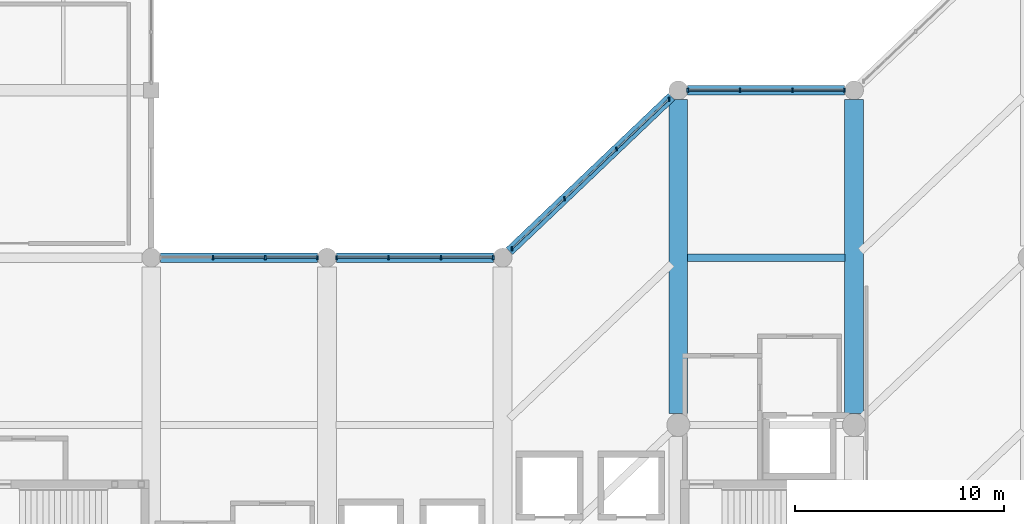
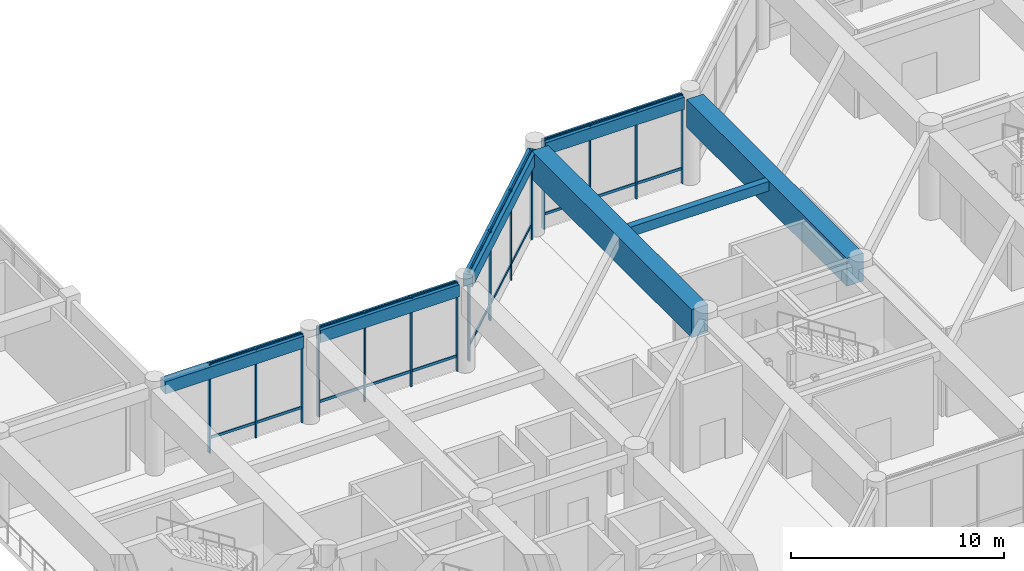
# One storey, part 46 of 79: 37 members, 7 beams, 4 elements without a shape of their own.
"""IFC4 building model written with IfcOpenShell, lengths in metres."""

from ifc_helpers import new_model, si_unit, direction, frame, origin, origin_2d, place, context, subcontext, project, spatial, rectangle, extrude, material, layer, layer_set, material_profile, profile_set, type_object, element, aggregate, save


model = new_model("IFC4")

# Units and contexts
model_context = context("Model", 3, precision=1e-05, world=origin(), true_north=direction((0.0, 1.0)))
body_context = subcontext(model_context, "Body", "Model", "MODEL_VIEW")
ifc_project = project(units=[si_unit("LENGTHUNIT", "METRE"), si_unit("AREAUNIT", "SQUARE_METRE"), si_unit("VOLUMEUNIT", "CUBIC_METRE"), si_unit("PLANEANGLEUNIT", "RADIAN"), si_unit("MASSUNIT", "GRAM", prefix="KILO")], contexts=[model_context])

# Site, building, storey
site_placement = place(None, origin())
site = spatial("IfcSite", under=ifc_project, at=site_placement, CompositionType="ELEMENT")
building_placement = place(site_placement, origin())
building = spatial("IfcBuilding", under=site, at=building_placement, Name="Naruveol Harbour Congress Hotel", CompositionType="ELEMENT")
storey_placement = place(building_placement, frame((0.0, 0.0, 6.0)))
storey = spatial("IfcBuildingStorey", under=building, at=storey_placement, Name="L01", CompositionType="ELEMENT", Elevation=6.0)

# Beams
ifc_material_1 = material(Name="Concrete C40/50", Category="concrete")
ifc_material_profile_1 = material_profile(ifc_material_1, rectangle(XDim=0.35009765625, YDim=0.550048828125, at=origin_2d()), Name="RCB-350x550")
ifc_profile_set_1 = profile_set([ifc_material_profile_1], Name="Concrete C40/50")
beam_type_1 = type_object("IfcBeamType", Name="RC SECONDARY BEAM 350X550", PredefinedType="JOIST", material=ifc_profile_set_1)
beam_1_placement = place(storey_placement, frame((151.64111328125, 32.0, 4.77490234375), z_axis=(1.0, 0.0, 0.0), x_axis=(0.0, 1.0, 0.0)))
element("IfcBeam", 1, at=beam_1_placement, inside=storey, type_object=beam_type_1, Name="Hotel chord beam L02 CJ1", PredefinedType="JOIST", context=body_context, shape_type="SweptSolid", body=[
    extrude(rectangle(XDim=0.35009765625, YDim=0.550048828125, at=origin_2d()), origin(), (0.0, 0.0, 1.0), 7.517822265625),
])
ifc_material_2 = material(Name="Concrete C40/50", Category="concrete")
ifc_material_profile_2 = material_profile(ifc_material_2, rectangle(XDim=0.449951171875, YDim=0.699951171875, at=origin_2d()), Name="RCB-450x700")
ifc_profile_set_2 = profile_set([ifc_material_profile_2], Name="Concrete C40/50")
beam_type_2 = type_object("IfcBeamType", Name="RC SPANDREL BEAM 450X700", PredefinedType="SPANDREL", material=ifc_profile_set_2)
for number, where, z_axis, x_axis, name in (
    (2, (126.446044921875, 32.0, 4.699951171875), (1.0, 0.0, 0.0), (0.0, 1.0, 0.0), "Hotel chord beam L02 SPB1"),
    (3, (134.845947265625, 32.0, 4.699951171875), (1.0, 0.0, 0.0), (0.0, 1.0, 0.0), "Hotel chord beam L02 SPB1"),
):
    element("IfcBeam", number, at=place(storey_placement, frame(where, z_axis=z_axis, x_axis=x_axis)), inside=storey, type_object=beam_type_2, Name=name, PredefinedType="SPANDREL", context=body_context, shape_type="SweptSolid", body=[
        extrude(rectangle(XDim=0.449951171875, YDim=0.699951171875, at=origin_2d()), origin(), (0.0, 0.0, 1.0), 7.508056640625),
    ])
beam_2_placement = place(storey_placement, frame((143.123046875, 32.3076171875, 4.699951171875), z_axis=(0.724133593293, 0.689659727013, 0.0), x_axis=(-0.689659727013, 0.724133593293, 0.0)))
element("IfcBeam", 4, at=beam_2_placement, inside=storey, type_object=beam_type_2, Name="Hotel chord beam L02 SPB1", PredefinedType="SPANDREL", context=body_context, shape_type="SweptSolid", body=[
    extrude(rectangle(XDim=0.449951171875, YDim=0.699951171875, at=origin_2d()), origin(), (0.0, 0.0, 1.0), 10.707763671875),
])
beam_3_placement = place(storey_placement, frame((151.64599609375, 40.0, 4.699951171875), z_axis=(1.0, 0.0, 0.0), x_axis=(0.0, 1.0, 0.0)))
element("IfcBeam", 5, at=beam_3_placement, inside=storey, type_object=beam_type_2, Name="Hotel chord beam L02 SPB1", PredefinedType="SPANDREL", context=body_context, shape_type="SweptSolid", body=[
    extrude(rectangle(XDim=0.449951171875, YDim=0.699951171875, at=origin_2d()), origin(), (0.0, 0.0, 1.0), 7.508056640625),
])
ifc_material_3 = material(Name="Concrete C50/60", Category="concrete")
ifc_material_profile_3 = material_profile(ifc_material_3, rectangle(XDim=0.89990234375, YDim=1.60009765625, at=origin_2d()), Name="RCB-900x1600")
ifc_profile_set_3 = profile_set([ifc_material_profile_3], Name="Concrete C50/60")
beam_type_3 = type_object("IfcBeamType", Name="RC TRANSFER GIRDER 900X1600", PredefinedType="BEAM", material=ifc_profile_set_3)
for number, where, z_axis, x_axis, name in (
    (6, (151.199951171875, 24.5458984375, 4.25), (0.0, 1.0, 0.0), (-1.0, 0.0, 0.0), "Hotel L02 transfer girder S4 TG1"),
    (7, (159.60009765625, 24.5458984375, 4.25), (0.0, 1.0, 0.0), (-1.0, 0.0, 0.0), "Hotel L02 transfer girder S5 TG1"),
):
    element("IfcBeam", number, at=place(storey_placement, frame(where, z_axis=z_axis, x_axis=x_axis)), inside=storey, type_object=beam_type_3, Name=name, PredefinedType="BEAM", context=body_context, shape_type="SweptSolid", body=[
        extrude(rectangle(XDim=0.89990234375, YDim=1.60009765625, at=origin_2d()), origin(), (0.0, 0.0, 1.0), 15.008056640625),
    ])

# Curtain wall, members
ifc_material_4 = material(Name="Low-E Curtain Wall System", Category="glass")
ifc_layer_1 = layer(ifc_material_4, 0.179931640625)
ifc_layer_set_1 = layer_set([ifc_layer_1], Name="Low-E Curtain Wall System")
curtain_wall_type_1 = type_object("IfcCurtainWallType", Name="UNITISED CURTAIN WALL CW-V5N-51 7500X5120", PredefinedType="USERDEFINED", material=ifc_layer_set_1)
curtain_wall_1_placement = place(storey_placement, origin())
curtain_wall_1 = element("IfcCurtainWall", 8, at=curtain_wall_1_placement, inside=storey, type_object=curtain_wall_type_1, Name="Unitised curtain wall CW-V5N-51 L01", ObjectType="UNITISED GLAZING", PredefinedType="USERDEFINED")
ifc_material_5 = material(Name="Anodised Aluminium 6063-T6", Category="aluminium")
ifc_material_profile_4 = material_profile(ifc_material_5, rectangle(XDim=0.074951171875, YDim=0.179931640625, at=origin_2d()), Name="ALU-75x180")
ifc_profile_set_4 = profile_set([ifc_material_profile_4], Name="Anodised Aluminium 6063-T6")
member_type_1 = type_object("IfcMemberType", Name="THERMAL ALUMINIUM MULLION 75X180", PredefinedType="MULLION", material=ifc_profile_set_4)
member_1_placement = place(storey_placement, frame((128.949951171875, 32.0, 0.0), z_axis=(0.0, 0.0, 1.0), x_axis=(1.0, 0.0, 0.0)))
member_1 = element("IfcMember", 9, at=member_1_placement, type_object=member_type_1, Name="Curtain wall mullion CW-L01-0138-M1", PredefinedType="MULLION", context=body_context, shape_type="SweptSolid", body=[
    extrude(rectangle(XDim=0.074951171875, YDim=0.179931640625, at=origin_2d()), origin(), (0.0, 0.0, 1.0), 5.1201171875),
])
member_2_placement = place(storey_placement, frame((131.449951171875, 32.0, 0.0), z_axis=(0.0, 0.0, 1.0), x_axis=(1.0, 0.0, 0.0)))
member_2 = element("IfcMember", 10, at=member_2_placement, type_object=member_type_1, Name="Curtain wall mullion CW-L01-0138-M2", PredefinedType="MULLION", context=body_context, shape_type="SweptSolid", body=[
    extrude(rectangle(XDim=0.074951171875, YDim=0.179931640625, at=origin_2d()), origin(), (0.0, 0.0, 1.0), 5.1201171875),
])
member_3_placement = place(storey_placement, frame((133.949951171875, 32.0, 0.0), z_axis=(0.0, 0.0, 1.0), x_axis=(1.0, 0.0, 0.0)))
member_3 = element("IfcMember", 11, at=member_3_placement, type_object=member_type_1, Name="Curtain wall mullion CW-L01-0138-M3", PredefinedType="MULLION", context=body_context, shape_type="SweptSolid", body=[
    extrude(rectangle(XDim=0.074951171875, YDim=0.179931640625, at=origin_2d()), origin(), (0.0, 0.0, 1.0), 5.1201171875),
])

curtain_wall_2_placement = place(storey_placement, origin())
curtain_wall_2 = element("IfcCurtainWall", 12, at=curtain_wall_2_placement, inside=storey, type_object=curtain_wall_type_1, Name="Unitised curtain wall CW-V5N-51 L01", ObjectType="UNITISED GLAZING", PredefinedType="USERDEFINED")
member_4_placement = place(storey_placement, frame((134.85009765625, 32.0, 0.0), z_axis=(0.0, 0.0, 1.0), x_axis=(1.0, 0.0, 0.0)))
member_4 = element("IfcMember", 13, at=member_4_placement, type_object=member_type_1, Name="Curtain wall mullion CW-L01-0140-M0", PredefinedType="MULLION", context=body_context, shape_type="SweptSolid", body=[
    extrude(rectangle(XDim=0.074951171875, YDim=0.179931640625, at=origin_2d()), origin(), (0.0, 0.0, 1.0), 5.1201171875),
])
member_5_placement = place(storey_placement, frame((137.35009765625, 32.0, 0.0), z_axis=(0.0, 0.0, 1.0), x_axis=(1.0, 0.0, 0.0)))
member_5 = element("IfcMember", 14, at=member_5_placement, type_object=member_type_1, Name="Curtain wall mullion CW-L01-0140-M1", PredefinedType="MULLION", context=body_context, shape_type="SweptSolid", body=[
    extrude(rectangle(XDim=0.074951171875, YDim=0.179931640625, at=origin_2d()), origin(), (0.0, 0.0, 1.0), 5.1201171875),
])
member_6_placement = place(storey_placement, frame((139.85009765625, 32.0, 0.0), z_axis=(0.0, 0.0, 1.0), x_axis=(1.0, 0.0, 0.0)))
member_6 = element("IfcMember", 15, at=member_6_placement, type_object=member_type_1, Name="Curtain wall mullion CW-L01-0140-M2", PredefinedType="MULLION", context=body_context, shape_type="SweptSolid", body=[
    extrude(rectangle(XDim=0.074951171875, YDim=0.179931640625, at=origin_2d()), origin(), (0.0, 0.0, 1.0), 5.1201171875),
])
member_7_placement = place(storey_placement, frame((142.35009765625, 32.0, 0.0), z_axis=(0.0, 0.0, 1.0), x_axis=(1.0, 0.0, 0.0)))
member_7 = element("IfcMember", 16, at=member_7_placement, type_object=member_type_1, Name="Curtain wall mullion CW-L01-0140-M3", PredefinedType="MULLION", context=body_context, shape_type="SweptSolid", body=[
    extrude(rectangle(XDim=0.074951171875, YDim=0.179931640625, at=origin_2d()), origin(), (0.0, 0.0, 1.0), 5.1201171875),
])

ifc_material_6 = material(Name="Low-E Curtain Wall System", Category="glass")
ifc_layer_2 = layer(ifc_material_6, 0.179931640625)
ifc_layer_set_2 = layer_set([ifc_layer_2], Name="Low-E Curtain Wall System")
curtain_wall_type_2 = type_object("IfcCurtainWallType", Name="UNITISED CURTAIN WALL CW-V5N-53 10357X5120", PredefinedType="USERDEFINED", material=ifc_layer_set_2)
curtain_wall_3_placement = place(storey_placement, origin())
curtain_wall_3 = element("IfcCurtainWall", 17, at=curtain_wall_3_placement, inside=storey, type_object=curtain_wall_type_2, Name="Unitised curtain wall CW-V5N-53 L01", ObjectType="UNITISED GLAZING", PredefinedType="USERDEFINED")
member_8_placement = place(storey_placement, frame((143.25, 32.428955078125, 0.0), z_axis=(0.0, 0.0, 1.0), x_axis=(1.0, 0.0, 0.0)))
member_8 = element("IfcMember", 18, at=member_8_placement, type_object=member_type_1, Name="Curtain wall mullion CW-L01-0142-M0", PredefinedType="MULLION", context=body_context, shape_type="SweptSolid", body=[
    extrude(rectangle(XDim=0.074951171875, YDim=0.179931640625, at=origin_2d()), origin(), (0.0, 0.0, 1.0), 5.1201171875),
])
member_9_placement = place(storey_placement, frame((145.75, 34.809814453125, 0.0), z_axis=(0.0, 0.0, 1.0), x_axis=(1.0, 0.0, 0.0)))
member_9 = element("IfcMember", 19, at=member_9_placement, type_object=member_type_1, Name="Curtain wall mullion CW-L01-0142-M1", PredefinedType="MULLION", context=body_context, shape_type="SweptSolid", body=[
    extrude(rectangle(XDim=0.074951171875, YDim=0.179931640625, at=origin_2d()), origin(), (0.0, 0.0, 1.0), 5.1201171875),
])
member_10_placement = place(storey_placement, frame((148.25, 37.190185546875, 0.0), z_axis=(0.0, 0.0, 1.0), x_axis=(1.0, 0.0, 0.0)))
member_10 = element("IfcMember", 20, at=member_10_placement, type_object=member_type_1, Name="Curtain wall mullion CW-L01-0142-M2", PredefinedType="MULLION", context=body_context, shape_type="SweptSolid", body=[
    extrude(rectangle(XDim=0.074951171875, YDim=0.179931640625, at=origin_2d()), origin(), (0.0, 0.0, 1.0), 5.1201171875),
])
member_11_placement = place(storey_placement, frame((150.75, 39.571044921875, 0.0), z_axis=(0.0, 0.0, 1.0), x_axis=(1.0, 0.0, 0.0)))
member_11 = element("IfcMember", 21, at=member_11_placement, type_object=member_type_1, Name="Curtain wall mullion CW-L01-0142-M3", PredefinedType="MULLION", context=body_context, shape_type="SweptSolid", body=[
    extrude(rectangle(XDim=0.074951171875, YDim=0.179931640625, at=origin_2d()), origin(), (0.0, 0.0, 1.0), 5.1201171875),
])

curtain_wall_4_placement = place(storey_placement, origin())
curtain_wall_4 = element("IfcCurtainWall", 22, at=curtain_wall_4_placement, inside=storey, type_object=curtain_wall_type_1, Name="Unitised curtain wall CW-V5N-51 L01", ObjectType="UNITISED GLAZING", PredefinedType="USERDEFINED")
member_12_placement = place(storey_placement, frame((151.64990234375, 40.0, 0.0), z_axis=(0.0, 0.0, 1.0), x_axis=(1.0, 0.0, 0.0)))
member_12 = element("IfcMember", 23, at=member_12_placement, type_object=member_type_1, Name="Curtain wall mullion CW-L01-0144-M0", PredefinedType="MULLION", context=body_context, shape_type="SweptSolid", body=[
    extrude(rectangle(XDim=0.074951171875, YDim=0.179931640625, at=origin_2d()), origin(), (0.0, 0.0, 1.0), 5.1201171875),
])
member_13_placement = place(storey_placement, frame((154.14990234375, 40.0, 0.0), z_axis=(0.0, 0.0, 1.0), x_axis=(1.0, 0.0, 0.0)))
member_13 = element("IfcMember", 24, at=member_13_placement, type_object=member_type_1, Name="Curtain wall mullion CW-L01-0144-M1", PredefinedType="MULLION", context=body_context, shape_type="SweptSolid", body=[
    extrude(rectangle(XDim=0.074951171875, YDim=0.179931640625, at=origin_2d()), origin(), (0.0, 0.0, 1.0), 5.1201171875),
])
member_14_placement = place(storey_placement, frame((156.64990234375, 40.0, 0.0), z_axis=(0.0, 0.0, 1.0), x_axis=(1.0, 0.0, 0.0)))
member_14 = element("IfcMember", 25, at=member_14_placement, type_object=member_type_1, Name="Curtain wall mullion CW-L01-0144-M2", PredefinedType="MULLION", context=body_context, shape_type="SweptSolid", body=[
    extrude(rectangle(XDim=0.074951171875, YDim=0.179931640625, at=origin_2d()), origin(), (0.0, 0.0, 1.0), 5.1201171875),
])
member_15_placement = place(storey_placement, frame((159.14990234375, 40.0, 0.0), z_axis=(0.0, 0.0, 1.0), x_axis=(1.0, 0.0, 0.0)))
member_15 = element("IfcMember", 26, at=member_15_placement, type_object=member_type_1, Name="Curtain wall mullion CW-L01-0144-M3", PredefinedType="MULLION", context=body_context, shape_type="SweptSolid", body=[
    extrude(rectangle(XDim=0.074951171875, YDim=0.179931640625, at=origin_2d()), origin(), (0.0, 0.0, 1.0), 5.1201171875),
])

# Member
ifc_material_7 = material(Name="Anodised Aluminium 6063-T6", Category="aluminium")
ifc_material_profile_5 = material_profile(ifc_material_7, rectangle(XDim=0.074951171875, YDim=0.14990234375, at=origin_2d()), Name="ALU-75x150")
ifc_profile_set_5 = profile_set([ifc_material_profile_5], Name="Anodised Aluminium 6063-T6")
member_type_2 = type_object("IfcMemberType", Name="THERMAL ALUMINIUM TRANSOM 75X150", PredefinedType="USERDEFINED", material=ifc_profile_set_5)
member_16_placement = place(storey_placement, frame((128.989990234375, 32.0, 0.85009765625), z_axis=(1.0, 0.0, 0.0), x_axis=(0.0, 1.0, 0.0)))
member_16 = element("IfcMember", 27, at=member_16_placement, type_object=member_type_2, Name="Curtain wall transom CW-L01-0138-T1.1", ObjectType="TRANSOM", PredefinedType="USERDEFINED", context=body_context, shape_type="SweptSolid", body=[
    extrude(rectangle(XDim=0.074951171875, YDim=0.14990234375, at=origin_2d()), origin(), (0.0, 0.0, 1.0), 2.419921875),
])

member_17_placement = place(storey_placement, frame((128.989990234375, 32.0, 5.0400390625), z_axis=(1.0, 0.0, 0.0), x_axis=(0.0, 1.0, 0.0)))
member_17 = element("IfcMember", 28, at=member_17_placement, type_object=member_type_2, Name="Curtain wall transom CW-L01-0138-T1.2", ObjectType="TRANSOM", PredefinedType="USERDEFINED", context=body_context, shape_type="SweptSolid", body=[
    extrude(rectangle(XDim=0.074951171875, YDim=0.14990234375, at=origin_2d()), origin(), (0.0, 0.0, 1.0), 2.419921875),
])

member_18_placement = place(storey_placement, frame((131.489990234375, 32.0, 0.85009765625), z_axis=(1.0, 0.0, 0.0), x_axis=(0.0, 1.0, 0.0)))
member_18 = element("IfcMember", 29, at=member_18_placement, type_object=member_type_2, Name="Curtain wall transom CW-L01-0138-T2.1", ObjectType="TRANSOM", PredefinedType="USERDEFINED", context=body_context, shape_type="SweptSolid", body=[
    extrude(rectangle(XDim=0.074951171875, YDim=0.14990234375, at=origin_2d()), origin(), (0.0, 0.0, 1.0), 2.419921875),
])

member_19_placement = place(storey_placement, frame((131.489990234375, 32.0, 5.0400390625), z_axis=(1.0, 0.0, 0.0), x_axis=(0.0, 1.0, 0.0)))
member_19 = element("IfcMember", 30, at=member_19_placement, type_object=member_type_2, Name="Curtain wall transom CW-L01-0138-T2.2", ObjectType="TRANSOM", PredefinedType="USERDEFINED", context=body_context, shape_type="SweptSolid", body=[
    extrude(rectangle(XDim=0.074951171875, YDim=0.14990234375, at=origin_2d()), origin(), (0.0, 0.0, 1.0), 2.419921875),
])

aggregate(curtain_wall_1, [member_1, member_2, member_3, member_16, member_17, member_18, member_19])

member_20_placement = place(storey_placement, frame((134.889892578125, 32.0, 0.85009765625), z_axis=(1.0, 0.0, 0.0), x_axis=(0.0, 1.0, 0.0)))
member_20 = element("IfcMember", 31, at=member_20_placement, type_object=member_type_2, Name="Curtain wall transom CW-L01-0140-T0.1", ObjectType="TRANSOM", PredefinedType="USERDEFINED", context=body_context, shape_type="SweptSolid", body=[
    extrude(rectangle(XDim=0.074951171875, YDim=0.14990234375, at=origin_2d()), origin(), (0.0, 0.0, 1.0), 2.420166015625),
])

member_21_placement = place(storey_placement, frame((134.889892578125, 32.0, 5.0400390625), z_axis=(1.0, 0.0, 0.0), x_axis=(0.0, 1.0, 0.0)))
member_21 = element("IfcMember", 32, at=member_21_placement, type_object=member_type_2, Name="Curtain wall transom CW-L01-0140-T0.2", ObjectType="TRANSOM", PredefinedType="USERDEFINED", context=body_context, shape_type="SweptSolid", body=[
    extrude(rectangle(XDim=0.074951171875, YDim=0.14990234375, at=origin_2d()), origin(), (0.0, 0.0, 1.0), 2.420166015625),
])

member_22_placement = place(storey_placement, frame((137.389892578125, 32.0, 0.85009765625), z_axis=(1.0, 0.0, 0.0), x_axis=(0.0, 1.0, 0.0)))
member_22 = element("IfcMember", 33, at=member_22_placement, type_object=member_type_2, Name="Curtain wall transom CW-L01-0140-T1.1", ObjectType="TRANSOM", PredefinedType="USERDEFINED", context=body_context, shape_type="SweptSolid", body=[
    extrude(rectangle(XDim=0.074951171875, YDim=0.14990234375, at=origin_2d()), origin(), (0.0, 0.0, 1.0), 2.420166015625),
])

member_23_placement = place(storey_placement, frame((137.389892578125, 32.0, 5.0400390625), z_axis=(1.0, 0.0, 0.0), x_axis=(0.0, 1.0, 0.0)))
member_23 = element("IfcMember", 34, at=member_23_placement, type_object=member_type_2, Name="Curtain wall transom CW-L01-0140-T1.2", ObjectType="TRANSOM", PredefinedType="USERDEFINED", context=body_context, shape_type="SweptSolid", body=[
    extrude(rectangle(XDim=0.074951171875, YDim=0.14990234375, at=origin_2d()), origin(), (0.0, 0.0, 1.0), 2.420166015625),
])

member_24_placement = place(storey_placement, frame((139.889892578125, 32.0, 0.85009765625), z_axis=(1.0, 0.0, 0.0), x_axis=(0.0, 1.0, 0.0)))
member_24 = element("IfcMember", 35, at=member_24_placement, type_object=member_type_2, Name="Curtain wall transom CW-L01-0140-T2.1", ObjectType="TRANSOM", PredefinedType="USERDEFINED", context=body_context, shape_type="SweptSolid", body=[
    extrude(rectangle(XDim=0.074951171875, YDim=0.14990234375, at=origin_2d()), origin(), (0.0, 0.0, 1.0), 2.420166015625),
])

member_25_placement = place(storey_placement, frame((139.889892578125, 32.0, 5.0400390625), z_axis=(1.0, 0.0, 0.0), x_axis=(0.0, 1.0, 0.0)))
member_25 = element("IfcMember", 36, at=member_25_placement, type_object=member_type_2, Name="Curtain wall transom CW-L01-0140-T2.2", ObjectType="TRANSOM", PredefinedType="USERDEFINED", context=body_context, shape_type="SweptSolid", body=[
    extrude(rectangle(XDim=0.074951171875, YDim=0.14990234375, at=origin_2d()), origin(), (0.0, 0.0, 1.0), 2.420166015625),
])

aggregate(curtain_wall_2, [member_4, member_5, member_6, member_7, member_20, member_21, member_22, member_23, member_24, member_25])

member_26_placement = place(storey_placement, frame((143.279052734375, 32.45654296875, 0.85009765625), z_axis=(0.7241637576, 0.689628053503, 0.0), x_axis=(-0.689628053503, 0.7241637576, 0.0)))
member_26 = element("IfcMember", 37, at=member_26_placement, type_object=member_type_2, Name="Curtain wall transom CW-L01-0142-T0.1", ObjectType="TRANSOM", PredefinedType="USERDEFINED", context=body_context, shape_type="SweptSolid", body=[
    extrude(rectangle(XDim=0.074951171875, YDim=0.14990234375, at=origin_2d()), origin(), (0.0, 0.0, 1.0), 3.3720703125),
])

member_27_placement = place(storey_placement, frame((143.279052734375, 32.45654296875, 5.0400390625), z_axis=(0.7241637576, 0.689628053503, 0.0), x_axis=(-0.689628053503, 0.7241637576, 0.0)))
member_27 = element("IfcMember", 38, at=member_27_placement, type_object=member_type_2, Name="Curtain wall transom CW-L01-0142-T0.2", ObjectType="TRANSOM", PredefinedType="USERDEFINED", context=body_context, shape_type="SweptSolid", body=[
    extrude(rectangle(XDim=0.074951171875, YDim=0.14990234375, at=origin_2d()), origin(), (0.0, 0.0, 1.0), 3.3720703125),
])

member_28_placement = place(storey_placement, frame((145.779052734375, 34.837158203125, 0.85009765625), z_axis=(0.72412760064, 0.689666019166, 0.0), x_axis=(-0.689666019166, 0.72412760064, 0.0)))
member_28 = element("IfcMember", 39, at=member_28_placement, type_object=member_type_2, Name="Curtain wall transom CW-L01-0142-T1.1", ObjectType="TRANSOM", PredefinedType="USERDEFINED", context=body_context, shape_type="SweptSolid", body=[
    extrude(rectangle(XDim=0.074951171875, YDim=0.14990234375, at=origin_2d()), origin(), (0.0, 0.0, 1.0), 3.3720703125),
])

member_29_placement = place(storey_placement, frame((145.779052734375, 34.837158203125, 5.0400390625), z_axis=(0.72412760064, 0.689666019166, 0.0), x_axis=(-0.689666019166, 0.72412760064, 0.0)))
member_29 = element("IfcMember", 40, at=member_29_placement, type_object=member_type_2, Name="Curtain wall transom CW-L01-0142-T1.2", ObjectType="TRANSOM", PredefinedType="USERDEFINED", context=body_context, shape_type="SweptSolid", body=[
    extrude(rectangle(XDim=0.074951171875, YDim=0.14990234375, at=origin_2d()), origin(), (0.0, 0.0, 1.0), 3.3720703125),
])

member_30_placement = place(storey_placement, frame((148.279052734375, 37.218017578125, 0.85009765625), z_axis=(0.7241637576, 0.689628053503, 0.0), x_axis=(-0.689628053503, 0.7241637576, 0.0)))
member_30 = element("IfcMember", 41, at=member_30_placement, type_object=member_type_2, Name="Curtain wall transom CW-L01-0142-T2.1", ObjectType="TRANSOM", PredefinedType="USERDEFINED", context=body_context, shape_type="SweptSolid", body=[
    extrude(rectangle(XDim=0.074951171875, YDim=0.14990234375, at=origin_2d()), origin(), (0.0, 0.0, 1.0), 3.3720703125),
])

member_31_placement = place(storey_placement, frame((148.279052734375, 37.218017578125, 5.0400390625), z_axis=(0.7241637576, 0.689628053503, 0.0), x_axis=(-0.689628053503, 0.7241637576, 0.0)))
member_31 = element("IfcMember", 42, at=member_31_placement, type_object=member_type_2, Name="Curtain wall transom CW-L01-0142-T2.2", ObjectType="TRANSOM", PredefinedType="USERDEFINED", context=body_context, shape_type="SweptSolid", body=[
    extrude(rectangle(XDim=0.074951171875, YDim=0.14990234375, at=origin_2d()), origin(), (0.0, 0.0, 1.0), 3.3720703125),
])

aggregate(curtain_wall_3, [member_8, member_9, member_10, member_11, member_26, member_27, member_28, member_29, member_30, member_31])

member_32_placement = place(storey_placement, frame((151.68994140625, 40.0, 0.85009765625), z_axis=(1.0, 0.0, 0.0), x_axis=(0.0, 1.0, 0.0)))
member_32 = element("IfcMember", 43, at=member_32_placement, type_object=member_type_2, Name="Curtain wall transom CW-L01-0144-T0.1", ObjectType="TRANSOM", PredefinedType="USERDEFINED", context=body_context, shape_type="SweptSolid", body=[
    extrude(rectangle(XDim=0.074951171875, YDim=0.14990234375, at=origin_2d()), origin(), (0.0, 0.0, 1.0), 2.420166015625),
])

member_33_placement = place(storey_placement, frame((151.68994140625, 40.0, 5.0400390625), z_axis=(1.0, 0.0, 0.0), x_axis=(0.0, 1.0, 0.0)))
member_33 = element("IfcMember", 44, at=member_33_placement, type_object=member_type_2, Name="Curtain wall transom CW-L01-0144-T0.2", ObjectType="TRANSOM", PredefinedType="USERDEFINED", context=body_context, shape_type="SweptSolid", body=[
    extrude(rectangle(XDim=0.074951171875, YDim=0.14990234375, at=origin_2d()), origin(), (0.0, 0.0, 1.0), 2.420166015625),
])

member_34_placement = place(storey_placement, frame((154.18994140625, 40.0, 0.85009765625), z_axis=(1.0, 0.0, 0.0), x_axis=(0.0, 1.0, 0.0)))
member_34 = element("IfcMember", 45, at=member_34_placement, type_object=member_type_2, Name="Curtain wall transom CW-L01-0144-T1.1", ObjectType="TRANSOM", PredefinedType="USERDEFINED", context=body_context, shape_type="SweptSolid", body=[
    extrude(rectangle(XDim=0.074951171875, YDim=0.14990234375, at=origin_2d()), origin(), (0.0, 0.0, 1.0), 2.420166015625),
])

member_35_placement = place(storey_placement, frame((154.18994140625, 40.0, 5.0400390625), z_axis=(1.0, 0.0, 0.0), x_axis=(0.0, 1.0, 0.0)))
member_35 = element("IfcMember", 46, at=member_35_placement, type_object=member_type_2, Name="Curtain wall transom CW-L01-0144-T1.2", ObjectType="TRANSOM", PredefinedType="USERDEFINED", context=body_context, shape_type="SweptSolid", body=[
    extrude(rectangle(XDim=0.074951171875, YDim=0.14990234375, at=origin_2d()), origin(), (0.0, 0.0, 1.0), 2.420166015625),
])

member_36_placement = place(storey_placement, frame((156.68994140625, 40.0, 0.85009765625), z_axis=(1.0, 0.0, 0.0), x_axis=(0.0, 1.0, 0.0)))
member_36 = element("IfcMember", 47, at=member_36_placement, type_object=member_type_2, Name="Curtain wall transom CW-L01-0144-T2.1", ObjectType="TRANSOM", PredefinedType="USERDEFINED", context=body_context, shape_type="SweptSolid", body=[
    extrude(rectangle(XDim=0.074951171875, YDim=0.14990234375, at=origin_2d()), origin(), (0.0, 0.0, 1.0), 2.420166015625),
])

member_37_placement = place(storey_placement, frame((156.68994140625, 40.0, 5.0400390625), z_axis=(1.0, 0.0, 0.0), x_axis=(0.0, 1.0, 0.0)))
member_37 = element("IfcMember", 48, at=member_37_placement, type_object=member_type_2, Name="Curtain wall transom CW-L01-0144-T2.2", ObjectType="TRANSOM", PredefinedType="USERDEFINED", context=body_context, shape_type="SweptSolid", body=[
    extrude(rectangle(XDim=0.074951171875, YDim=0.14990234375, at=origin_2d()), origin(), (0.0, 0.0, 1.0), 2.420166015625),
])

aggregate(curtain_wall_4, [member_12, member_13, member_14, member_15, member_32, member_33, member_34, member_35, member_36, member_37])

save(model, "model.ifc")
